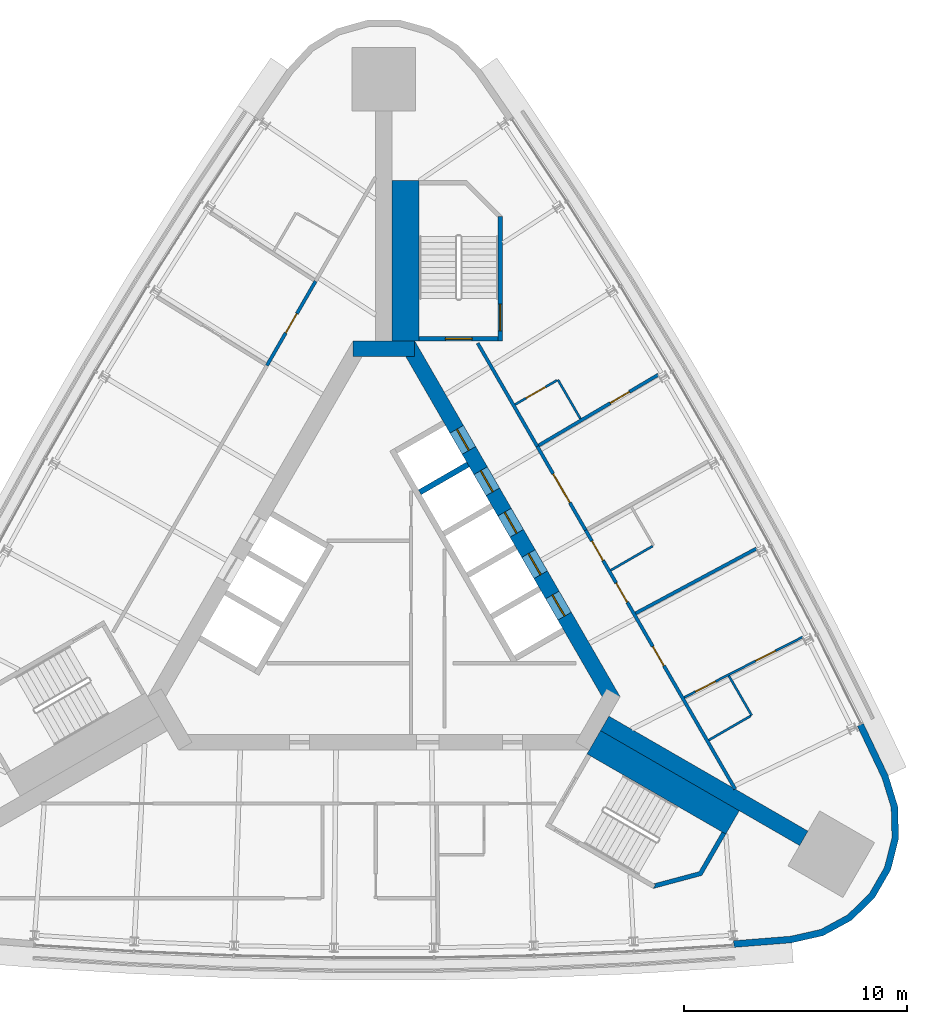
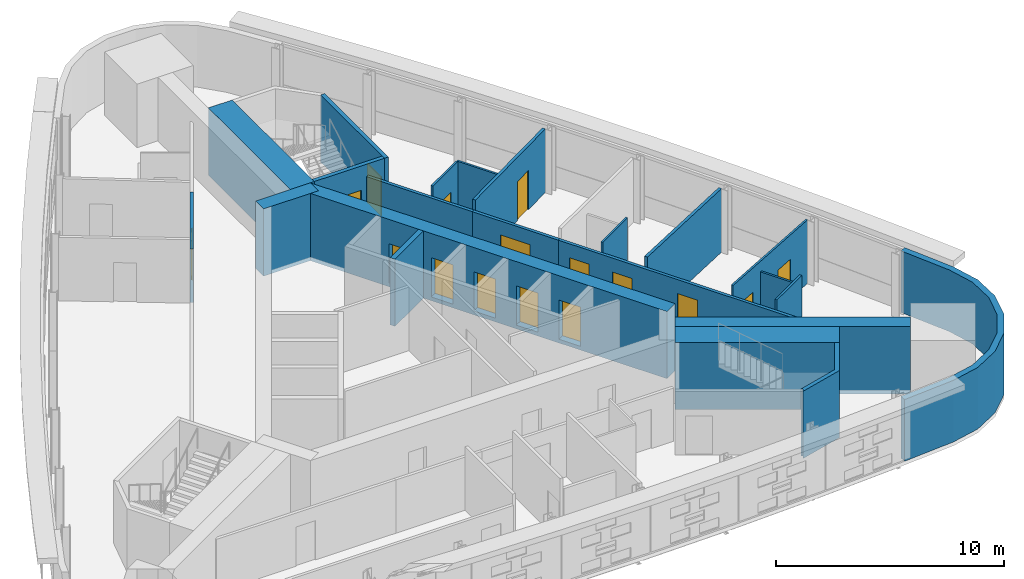
# One storey, part 9 of 12: 22 walls, 16 doors, 16 openings.
"""IFC4 building model written with IfcOpenShell, lengths in metres."""

from ifc_helpers import new_model, si_unit, direction, frame, frame_2d, origin, place, context, subcontext, project, spatial, polyline, rectangle, outline, extrude, material, layer, layer_set, type_object, element, fill, save


model = new_model("IFC4")

# Units and contexts
model_context = context("Model", 3, precision=1e-05, world=origin(), true_north=direction((0.0, 1.0)))
body_context = subcontext(model_context, "Body", "Model", "MODEL_VIEW")
ifc_project = project(units=[si_unit("LENGTHUNIT", "METRE"), si_unit("AREAUNIT", "SQUARE_METRE"), si_unit("VOLUMEUNIT", "CUBIC_METRE"), si_unit("PLANEANGLEUNIT", "RADIAN"), si_unit("MASSUNIT", "GRAM", prefix="KILO")], contexts=[model_context])

# Site, building, storey
site_placement = place(None, origin())
site = spatial("IfcSite", under=ifc_project, at=site_placement, CompositionType="ELEMENT")
building_placement = place(site_placement, origin())
building = spatial("IfcBuilding", under=site, at=building_placement, Name="Noor Cloister Tower", CompositionType="ELEMENT")
storey_placement = place(building_placement, frame((0.0, 0.0, 161.699951171875)))
storey = spatial("IfcBuildingStorey", under=building, at=storey_placement, Name="L41", CompositionType="ELEMENT", Elevation=161.699951171875)

# Wall
ifc_material_1 = material(Name="Concrete C70/85", Category="concrete")
ifc_layer_1 = layer(ifc_material_1, 0.75)
ifc_layer_set_1 = layer_set([ifc_layer_1], Name="Buttress wall 750 C70/85")
wall_type_1 = type_object("IfcWallType", Name="Buttress wall 750 C70/85", PredefinedType="SHEAR", material=ifc_layer_set_1)
wall_1_placement = place(storey_placement, frame((9.921630859375, -5.728271484375, -0.199951171875), z_axis=(0.0, 0.0, 1.0), x_axis=(0.866025410072, -0.499999989109, 0.0)))
element("IfcWall", 1, at=wall_1_placement, inside=storey, type_object=wall_type_1, Name="Buttress wall SE L41", PredefinedType="SHEAR", context=body_context, shape_type="SweptSolid", body=[
    extrude(rectangle(XDim=10.33056640625, YDim=0.75, at=frame_2d((5.165283203125, 0.0))), origin(), (0.0, 0.0, 1.0), 3.60009765625),
])

# Wall, openings, doors
ifc_material_2 = material(Name="Concrete C70/85", Category="concrete")
ifc_layer_2 = layer(ifc_material_2, 0.699951171875)
ifc_layer_set_2 = layer_set([ifc_layer_2], Name="Core wall 700 C70/85")
wall_type_2 = type_object("IfcWallType", Name="Core wall 700 C70/85", PredefinedType="SHEAR", material=ifc_layer_set_2)
wall_2_placement = place(storey_placement, frame((10.311279296875, -4.703125, -0.199951171875), z_axis=(0.0, 0.0, 1.0), x_axis=(-0.500001446645, 0.866024568562, 0.0)))
wall_2 = element("IfcWall", 2, at=wall_2_placement, inside=storey, type_object=wall_type_2, Name="Core wall L41 3", PredefinedType="SHEAR", context=body_context, shape_type="SweptSolid", body=[
    extrude(rectangle(XDim=18.45751953125, YDim=0.699951171875, at=frame_2d((9.228759765625, 0.0))), origin(), (0.0, 0.0, 1.0), 3.60009765625),
])
opening_1_placement = place(wall_2_placement, frame((4.378662109375, 0.0, 0.199951171875)))
opening_1 = element("IfcOpeningElement", 3, at=opening_1_placement, cuts=wall_2, Name="Opening L41-HR1", PredefinedType="OPENING", context=body_context, shape_type="SweptSolid", body=[
    extrude(rectangle(XDim=1.10009765625, YDim=2.10009765625, at=frame_2d((0.550048828125, 1.050048828125))), frame((0.0, 0.35986328125, 0.0), z_axis=(0.0, -1.0, 0.0), x_axis=(1.0, 0.0, 0.0)), (0.0, 0.0, 1.0), 0.719970703125),
])
opening_2_placement = place(wall_2_placement, frame((6.52880859375, 0.0, 0.199951171875)))
opening_2 = element("IfcOpeningElement", 4, at=opening_2_placement, cuts=wall_2, Name="Opening L41-HR2", PredefinedType="OPENING", context=body_context, shape_type="SweptSolid", body=[
    extrude(rectangle(XDim=1.10009765625, YDim=2.10009765625, at=frame_2d((0.550048828125, 1.050048828125))), frame((0.0, 0.35986328125, 0.0), z_axis=(0.0, -1.0, 0.0), x_axis=(1.0, 0.0, 0.0)), (0.0, 0.0, 1.0), 0.719970703125),
])
opening_3_placement = place(wall_2_placement, frame((8.6787109375, 0.0, 0.199951171875)))
opening_3 = element("IfcOpeningElement", 5, at=opening_3_placement, cuts=wall_2, Name="Opening L41-HR3", PredefinedType="OPENING", context=body_context, shape_type="SweptSolid", body=[
    extrude(rectangle(XDim=1.10009765625, YDim=2.10009765625, at=frame_2d((0.550048828125, 1.050048828125))), frame((0.0, 0.35986328125, 0.0), z_axis=(0.0, -1.0, 0.0), x_axis=(1.0, 0.0, 0.0)), (0.0, 0.0, 1.0), 0.719970703125),
])
opening_4_placement = place(wall_2_placement, frame((10.82861328125, 0.0, 0.199951171875)))
opening_4 = element("IfcOpeningElement", 6, at=opening_4_placement, cuts=wall_2, Name="Opening L41-HR4", PredefinedType="OPENING", context=body_context, shape_type="SweptSolid", body=[
    extrude(rectangle(XDim=1.10009765625, YDim=2.10009765625, at=frame_2d((0.550048828125, 1.050048828125))), frame((0.0, 0.35986328125, 0.0), z_axis=(0.0, -1.0, 0.0), x_axis=(1.0, 0.0, 0.0)), (0.0, 0.0, 1.0), 0.719970703125),
])
opening_5_placement = place(wall_2_placement, frame((12.978759765625, 0.0, 0.199951171875)))
opening_5 = element("IfcOpeningElement", 7, at=opening_5_placement, cuts=wall_2, Name="Opening L41-HR5", PredefinedType="OPENING", context=body_context, shape_type="SweptSolid", body=[
    extrude(rectangle(XDim=1.10009765625, YDim=2.10009765625, at=frame_2d((0.550048828125, 1.050048828125))), frame((0.0, 0.35986328125, 0.0), z_axis=(0.0, -1.0, 0.0), x_axis=(1.0, 0.0, 0.0)), (0.0, 0.0, 1.0), 0.719970703125),
])
ifc_material_3 = material(Name="Stainless steel", Category="steel")
door_type_1 = type_object("IfcDoorType", Name="Lift landing door 1100 x 2100", OperationType="DOUBLE_DOOR_SLIDING", PredefinedType="DOOR", material=ifc_material_3)
door_1_placement = place(opening_1_placement, origin())
door_1 = element("IfcDoor", 8, at=door_1_placement, inside=storey, type_object=door_type_1, Name="Landing door HR1 L41", OperationType="DOUBLE_DOOR_SLIDING", OverallHeight=2.10009765625, OverallWidth=1.10009765625, PredefinedType="DOOR", context=body_context, shape_type="SweptSolid", body=[
    extrude(rectangle(XDim=1.10009765625, YDim=2.10009765625, at=frame_2d((0.550048828125, 1.050048828125))), frame((0.0, 0.02490234375, 0.0), z_axis=(0.0, -1.0, 0.0), x_axis=(1.0, 0.0, 0.0)), (0.0, 0.0, 1.0), 0.050048828125),
])
fill(opening_1, door_1)
door_2_placement = place(opening_2_placement, origin())
door_2 = element("IfcDoor", 9, at=door_2_placement, inside=storey, type_object=door_type_1, Name="Landing door HR2 L41", OperationType="DOUBLE_DOOR_SLIDING", OverallHeight=2.10009765625, OverallWidth=1.10009765625, PredefinedType="DOOR", context=body_context, shape_type="SweptSolid", body=[
    extrude(rectangle(XDim=1.10009765625, YDim=2.10009765625, at=frame_2d((0.550048828125, 1.050048828125))), frame((0.0, 0.02490234375, 0.0), z_axis=(0.0, -1.0, 0.0), x_axis=(1.0, 0.0, 0.0)), (0.0, 0.0, 1.0), 0.050048828125),
])
fill(opening_2, door_2)
door_3_placement = place(opening_3_placement, origin())
door_3 = element("IfcDoor", 10, at=door_3_placement, inside=storey, type_object=door_type_1, Name="Landing door HR3 L41", OperationType="DOUBLE_DOOR_SLIDING", OverallHeight=2.10009765625, OverallWidth=1.10009765625, PredefinedType="DOOR", context=body_context, shape_type="SweptSolid", body=[
    extrude(rectangle(XDim=1.10009765625, YDim=2.10009765625, at=frame_2d((0.550048828125, 1.050048828125))), frame((0.0, 0.02490234375, 0.0), z_axis=(0.0, -1.0, 0.0), x_axis=(1.0, 0.0, 0.0)), (0.0, 0.0, 1.0), 0.050048828125),
])
fill(opening_3, door_3)
door_4_placement = place(opening_4_placement, origin())
door_4 = element("IfcDoor", 11, at=door_4_placement, inside=storey, type_object=door_type_1, Name="Landing door HR4 L41", OperationType="DOUBLE_DOOR_SLIDING", OverallHeight=2.10009765625, OverallWidth=1.10009765625, PredefinedType="DOOR", context=body_context, shape_type="SweptSolid", body=[
    extrude(rectangle(XDim=1.10009765625, YDim=2.10009765625, at=frame_2d((0.550048828125, 1.050048828125))), frame((0.0, 0.02490234375, 0.0), z_axis=(0.0, -1.0, 0.0), x_axis=(1.0, 0.0, 0.0)), (0.0, 0.0, 1.0), 0.050048828125),
])
fill(opening_4, door_4)
door_5_placement = place(opening_5_placement, origin())
door_5 = element("IfcDoor", 12, at=door_5_placement, inside=storey, type_object=door_type_1, Name="Landing door HR5 L41", OperationType="DOUBLE_DOOR_SLIDING", OverallHeight=2.10009765625, OverallWidth=1.10009765625, PredefinedType="DOOR", context=body_context, shape_type="SweptSolid", body=[
    extrude(rectangle(XDim=1.10009765625, YDim=2.10009765625, at=frame_2d((0.550048828125, 1.050048828125))), frame((0.0, 0.02490234375, 0.0), z_axis=(0.0, -1.0, 0.0), x_axis=(1.0, 0.0, 0.0)), (0.0, 0.0, 1.0), 0.050048828125),
])
fill(opening_5, door_5)

# Wall
wall_3_placement = place(storey_placement, frame((1.3857421875, 11.1064453125, -0.199951171875), z_axis=(0.0, 0.0, 1.0), x_axis=(-1.0, 0.0, 0.0)))
element("IfcWall", 13, at=wall_3_placement, inside=storey, type_object=wall_type_2, Name="Core wall L41 4", PredefinedType="SHEAR", context=body_context, shape_type="SweptSolid", body=[
    extrude(rectangle(XDim=2.771484375, YDim=0.699951171875, at=frame_2d((1.3857421875, 0.0))), origin(), (0.0, 0.0, 1.0), 3.60009765625),
])

# Wall, opening, door
ifc_material_4 = material(Name="Fire-rated gypsum board partition on steel studs, 150 mm", Category="steel")
ifc_layer_3 = layer(ifc_material_4, 0.14990234375)
ifc_layer_set_3 = layer_set([ifc_layer_3], Name="Fire lobby wall 150")
wall_type_3 = type_object("IfcWallType", Name="Fire lobby wall 150", PredefinedType="PARTITIONING", material=ifc_layer_set_3)
wall_4_placement = place(storey_placement, frame((-3.06884765625, 14.140869140625, 0.0), z_axis=(0.0, 0.0, 1.0), x_axis=(-0.500015937133, -0.866016202281, 0.0)))
wall_4 = element("IfcWall", 14, at=wall_4_placement, inside=storey, type_object=wall_type_3, Name="Wall L41-W28", PredefinedType="PARTITIONING", context=body_context, shape_type="SweptSolid", body=[
    extrude(rectangle(XDim=4.368408203125, YDim=0.14990234375, at=frame_2d((2.18408203125, 0.0))), origin(), (0.0, 0.0, 1.0), 2.84716796875),
])
opening_6_placement = place(wall_4_placement, frame((1.684326171875, 0.0, 0.0)))
opening_6 = element("IfcOpeningElement", 15, at=opening_6_placement, cuts=wall_4, Name="Opening L41-016", PredefinedType="OPENING", context=body_context, shape_type="SweptSolid", body=[
    extrude(rectangle(XDim=1.0, YDim=2.10009765625, at=frame_2d((0.5, 1.050048828125))), frame((0.0, 0.0849609375, 0.0), z_axis=(0.0, -1.0, 0.0), x_axis=(1.0, 0.0, 0.0)), (0.0, 0.0, 1.0), 0.169921875),
])
ifc_material_5 = material(Name="Timber door leaf with steel frame", Category="steel")
door_type_2 = type_object("IfcDoorType", Name="Fire lobby door 1000", OperationType="NOTDEFINED", PredefinedType="DOOR", material=ifc_material_5)
door_6_placement = place(opening_6_placement, origin())
door_6 = element("IfcDoor", 16, at=door_6_placement, inside=storey, type_object=door_type_2, Name="Door L41-016", OperationType="SINGLE_SWING_RIGHT", OverallHeight=2.10009765625, OverallWidth=1.0, PredefinedType="DOOR", context=body_context, shape_type="SweptSolid", body=[
    extrude(rectangle(XDim=1.0, YDim=2.10009765625, at=frame_2d((0.5, 1.050048828125))), frame((0.0, 0.02490234375, 0.0), z_axis=(0.0, -1.0, 0.0), x_axis=(1.0, 0.0, 0.0)), (0.0, 0.0, 1.0), 0.050048828125),
])
fill(opening_6, door_6)

# Wall, openings, doors
ifc_material_6 = material(Name="Gypsum board partition on steel studs, 150 mm", Category="steel")
ifc_layer_4 = layer(ifc_material_6, 0.14990234375)
ifc_layer_set_4 = layer_set([ifc_layer_4], Name="Flat wall 150")
wall_type_4 = type_object("IfcWallType", Name="Flat wall 150", PredefinedType="PARTITIONING", material=ifc_layer_set_4)
wall_5_placement = place(storey_placement, frame((15.781982421875, -8.6787109375, 0.0), z_axis=(0.0, 0.0, 1.0), x_axis=(-0.499998343211, 0.86602636033, 0.0)))
wall_5 = element("IfcWall", 17, at=wall_5_placement, inside=storey, type_object=wall_type_4, Name="Wall L41-W01", PredefinedType="PARTITIONING", context=body_context, shape_type="SweptSolid", body=[
    extrude(rectangle(XDim=13.4306640625, YDim=0.14990234375, at=frame_2d((6.71533203125, 0.0))), origin(), (0.0, 0.0, 1.0), 2.84716796875),
])
opening_7_placement = place(wall_5_placement, frame((6.39599609375, 0.0, 0.0)))
opening_7 = element("IfcOpeningElement", 18, at=opening_7_placement, cuts=wall_5, Name="Opening L41-004", PredefinedType="OPENING", context=body_context, shape_type="SweptSolid", body=[
    extrude(rectangle(XDim=1.0, YDim=2.10009765625, at=frame_2d((0.5, 1.050048828125))), frame((0.0, 0.0849609375, 0.0), z_axis=(0.0, -1.0, 0.0), x_axis=(1.0, 0.0, 0.0)), (0.0, 0.0, 1.0), 0.169921875),
])
opening_8_placement = place(wall_5_placement, frame((11.86865234375, 0.0, 0.0)))
opening_8 = element("IfcOpeningElement", 19, at=opening_8_placement, cuts=wall_5, Name="Opening L41-005", PredefinedType="OPENING", context=body_context, shape_type="SweptSolid", body=[
    extrude(rectangle(XDim=1.0, YDim=2.10009765625, at=frame_2d((0.5, 1.050048828125))), frame((0.0, 0.0849609375, 0.0), z_axis=(0.0, -1.0, 0.0), x_axis=(1.0, 0.0, 0.0)), (0.0, 0.0, 1.0), 0.169921875),
])
opening_9_placement = place(wall_5_placement, frame((9.69140625, 0.0, 0.0)))
opening_9 = element("IfcOpeningElement", 20, at=opening_9_placement, cuts=wall_5, Name="Opening L41-006", PredefinedType="OPENING", context=body_context, shape_type="SweptSolid", body=[
    extrude(rectangle(XDim=1.0, YDim=2.10009765625, at=frame_2d((0.5, 1.050048828125))), frame((0.0, 0.0849609375, 0.0), z_axis=(0.0, -1.0, 0.0), x_axis=(1.0, 0.0, 0.0)), (0.0, 0.0, 1.0), 0.169921875),
])
ifc_material_7 = material(Name="Timber door leaf with steel frame", Category="steel")
door_type_3 = type_object("IfcDoorType", Name="Accessible WC door 1000", OperationType="NOTDEFINED", PredefinedType="DOOR", material=ifc_material_7)
door_7_placement = place(opening_8_placement, origin())
door_7 = element("IfcDoor", 21, at=door_7_placement, inside=storey, type_object=door_type_3, Name="Door L41-005", OperationType="SINGLE_SWING_LEFT", OverallHeight=2.10009765625, OverallWidth=1.0, PredefinedType="DOOR", context=body_context, shape_type="SweptSolid", body=[
    extrude(rectangle(XDim=1.0, YDim=2.10009765625, at=frame_2d((0.5, 1.050048828125))), frame((0.0, 0.02490234375, 0.0), z_axis=(0.0, -1.0, 0.0), x_axis=(1.0, 0.0, 0.0)), (0.0, 0.0, 1.0), 0.050048828125),
])
fill(opening_8, door_7)
ifc_material_8 = material(Name="Timber door leaf with steel frame", Category="steel")
door_type_4 = type_object("IfcDoorType", Name="Flat entrance door 1000", OperationType="NOTDEFINED", PredefinedType="DOOR", material=ifc_material_8)
door_8_placement = place(opening_7_placement, origin())
door_8 = element("IfcDoor", 22, at=door_8_placement, inside=storey, type_object=door_type_4, Name="Door L41-004", OperationType="SINGLE_SWING_RIGHT", OverallHeight=2.10009765625, OverallWidth=1.0, PredefinedType="DOOR", context=body_context, shape_type="SweptSolid", body=[
    extrude(rectangle(XDim=1.0, YDim=2.10009765625, at=frame_2d((0.5, 1.050048828125))), frame((0.0, 0.02490234375, 0.0), z_axis=(0.0, -1.0, 0.0), x_axis=(1.0, 0.0, 0.0)), (0.0, 0.0, 1.0), 0.050048828125),
])
fill(opening_7, door_8)
ifc_material_9 = material(Name="Timber door leaf with steel frame", Category="steel")
door_type_5 = type_object("IfcDoorType", Name="Interior door 1000 FD60", OperationType="NOTDEFINED", PredefinedType="DOOR", material=ifc_material_9)
door_9_placement = place(opening_9_placement, origin())
door_9 = element("IfcDoor", 23, at=door_9_placement, inside=storey, type_object=door_type_5, Name="Door L41-006", OperationType="SINGLE_SWING_RIGHT", OverallHeight=2.10009765625, OverallWidth=1.0, PredefinedType="DOOR", context=body_context, shape_type="SweptSolid", body=[
    extrude(rectangle(XDim=1.0, YDim=2.10009765625, at=frame_2d((0.5, 1.050048828125))), frame((0.0, 0.02490234375, 0.0), z_axis=(0.0, -1.0, 0.0), x_axis=(1.0, 0.0, 0.0)), (0.0, 0.0, 1.0), 0.050048828125),
])
fill(opening_9, door_9)

# Wall
wall_6_placement = place(storey_placement, frame((6.890380859375, 6.72216796875, 0.0), z_axis=(0.0, 0.0, 1.0), x_axis=(-0.500025224267, 0.866010840057, 0.0)))
element("IfcWall", 24, at=wall_6_placement, inside=storey, type_object=wall_type_4, Name="Wall L41-W02", PredefinedType="PARTITIONING", context=body_context, shape_type="SweptSolid", body=[
    extrude(rectangle(XDim=5.351318359375, YDim=0.14990234375, at=frame_2d((2.67578125, 0.0))), origin(), (0.0, 0.0, 1.0), 2.84716796875),
])

# Wall, opening, door
wall_7_placement = place(storey_placement, frame((12.3359375, 9.942626953125, 0.0), z_axis=(0.0, 0.0, 1.0), x_axis=(-0.860742216303, -0.509041095663, 0.0)))
wall_7 = element("IfcWall", 25, at=wall_7_placement, inside=storey, type_object=wall_type_4, Name="Wall L41-W04", PredefinedType="PARTITIONING", context=body_context, shape_type="SweptSolid", body=[
    extrude(rectangle(XDim=6.251708984375, YDim=0.14990234375, at=frame_2d((3.1259765625, 0.0))), origin(), (0.0, 0.0, 1.0), 3.400146484375),
])
opening_10_placement = place(wall_7_placement, frame((1.51318359375, 0.0, 0.0)))
opening_10 = element("IfcOpeningElement", 26, at=opening_10_placement, cuts=wall_7, Name="Opening L41-008", PredefinedType="OPENING", context=body_context, shape_type="SweptSolid", body=[
    extrude(rectangle(XDim=1.0, YDim=2.10009765625, at=frame_2d((0.5, 1.050048828125))), frame((0.0, 0.0849609375, 0.0), z_axis=(0.0, -1.0, 0.0), x_axis=(1.0, 0.0, 0.0)), (0.0, 0.0, 1.0), 0.169921875),
])
door_10_placement = place(opening_10_placement, origin())
door_10 = element("IfcDoor", 27, at=door_10_placement, inside=storey, type_object=door_type_4, Name="Door L41-008", OperationType="SINGLE_SWING_RIGHT", OverallHeight=2.10009765625, OverallWidth=1.0, PredefinedType="DOOR", context=body_context, shape_type="SweptSolid", body=[
    extrude(rectangle(XDim=1.0, YDim=2.10009765625, at=frame_2d((0.5, 1.050048828125))), frame((0.0, 0.02490234375, 0.0), z_axis=(0.0, -1.0, 0.0), x_axis=(1.0, 0.0, 0.0)), (0.0, 0.0, 1.0), 0.050048828125),
])
fill(opening_10, door_10)

wall_8_placement = place(storey_placement, frame((9.066650390625, 2.95263671875, 0.0), z_axis=(0.0, 0.0, 1.0), x_axis=(-0.499987877897, 0.866032402371, 0.0)))
wall_8 = element("IfcWall", 28, at=wall_8_placement, inside=storey, type_object=wall_type_4, Name="Wall L41-W05", PredefinedType="PARTITIONING", context=body_context, shape_type="SweptSolid", body=[
    extrude(rectangle(XDim=4.3525390625, YDim=0.14990234375, at=frame_2d((2.17626953125, 0.0))), origin(), (0.0, 0.0, 1.0), 2.84716796875),
])
opening_11_placement = place(wall_8_placement, frame((1.42626953125, 0.0, 0.0)))
opening_11 = element("IfcOpeningElement", 29, at=opening_11_placement, cuts=wall_8, Name="Opening L41-001", PredefinedType="OPENING", context=body_context, shape_type="SweptSolid", body=[
    extrude(rectangle(XDim=1.5, YDim=2.10009765625, at=frame_2d((0.75, 1.050048828125))), frame((0.0, 0.0849609375, 0.0), z_axis=(0.0, -1.0, 0.0), x_axis=(1.0, 0.0, 0.0)), (0.0, 0.0, 1.0), 0.169921875),
])
ifc_material_10 = material(Name="Timber door leaf with steel frame", Category="steel")
door_type_6 = type_object("IfcDoorType", Name="Double door 1500 FD60", OperationType="NOTDEFINED", PredefinedType="DOOR", material=ifc_material_10)
door_11_placement = place(opening_11_placement, origin())
door_11 = element("IfcDoor", 30, at=door_11_placement, inside=storey, type_object=door_type_6, Name="Door L41-001", OperationType="DOUBLE_DOOR_SINGLE_SWING", OverallHeight=2.10009765625, OverallWidth=1.5, PredefinedType="DOOR", context=body_context, shape_type="SweptSolid", body=[
    extrude(rectangle(XDim=1.5, YDim=2.10009765625, at=frame_2d((0.75, 1.050048828125))), frame((0.0, 0.02490234375, 0.0), z_axis=(0.0, -1.0, 0.0), x_axis=(1.0, 0.0, 0.0)), (0.0, 0.0, 1.0), 0.050048828125),
])
fill(opening_11, door_11)

# Walls
wall_9_placement = place(storey_placement, frame((16.74658203125, 2.132080078125, 0.0), z_axis=(0.0, 0.0, 1.0), x_axis=(-0.881303399969, -0.472550862028, 0.0)))
element("IfcWall", 31, at=wall_9_placement, inside=storey, type_object=wall_type_4, Name="Wall L41-W09", PredefinedType="PARTITIONING", context=body_context, shape_type="SweptSolid", body=[
    extrude(rectangle(XDim=6.168701171875, YDim=0.14990234375, at=frame_2d((3.08447265625, 0.0))), origin(), (0.0, 0.0, 1.0), 3.400146484375),
])
ifc_material_11 = material(Name="Limestone", Category="masonry")
ifc_layer_5 = layer(ifc_material_11, 0.300048828125)
ifc_layer_set_5 = layer_set([ifc_layer_5], Name="Limestone cladding 300")
wall_type_5 = type_object("IfcWallType", Name="Limestone cladding 300", PredefinedType="NOTDEFINED", material=ifc_layer_set_5)
wall_10_placement = place(storey_placement, origin())
element("IfcWall", 32, at=wall_10_placement, inside=storey, type_object=wall_type_5, Name="Limestone pier cladding L41 2.1", PredefinedType="NOTDEFINED", context=body_context, shape_type="SweptSolid", body=[
    extrude(outline(polyline([(15.73583984375, -15.79345703125), (18.326904296875, -15.58740234375), (19.739013671875, -15.267333984375), (21.011474609375, -14.576171875), (22.048583984375, -13.565673828125), (22.772705078125, -12.311767578125), (23.129150390625, -10.908447265625), (23.091552734375, -9.4609375), (22.66259765625, -8.077880859375), (21.54541015625, -5.73095703125), (21.274658203125, -5.85986328125), (22.38232421875, -8.187255859375), (22.792724609375, -9.510009765625), (22.828125, -10.874755859375), (22.491943359375, -12.19775390625), (21.8095703125, -13.3798828125), (20.831787109375, -14.33251953125), (19.63232421875, -14.984130859375), (18.281494140625, -15.2900390625), (15.712158203125, -15.494384765625), (15.73583984375, -15.79345703125)])), origin(), (0.0, 0.0, 1.0), 3.300048828125),
])

# Wall, openings, doors
ifc_material_12 = material(Name="Gypsum board partition on steel studs, 100 mm", Category="steel")
ifc_layer_6 = layer(ifc_material_12, 0.10009765625)
ifc_layer_set_6 = layer_set([ifc_layer_6], Name="Partition 100")
wall_type_6 = type_object("IfcWallType", Name="Partition 100", PredefinedType="PARTITIONING", material=ifc_layer_set_6)
wall_11_placement = place(storey_placement, frame((18.828369140625, -1.8408203125, 0.0), z_axis=(0.0, 0.0, 1.0), x_axis=(-0.891018968873, -0.453966074842, 0.0)))
wall_11 = element("IfcWall", 33, at=wall_11_placement, inside=storey, type_object=wall_type_6, Name="Wall L41-W06", PredefinedType="PARTITIONING", context=body_context, shape_type="SweptSolid", body=[
    extrude(rectangle(XDim=5.990478515625, YDim=0.10009765625, at=frame_2d((2.9951171875, 0.0))), origin(), (0.0, 0.0, 1.0), 3.400146484375),
])
opening_12_placement = place(wall_11_placement, frame((1.381103515625, 0.0, 0.0)))
opening_12 = element("IfcOpeningElement", 34, at=opening_12_placement, cuts=wall_11, Name="Opening L41-002", PredefinedType="OPENING", context=body_context, shape_type="SweptSolid", body=[
    extrude(rectangle(XDim=1.0, YDim=2.10009765625, at=frame_2d((0.5, 1.050048828125))), frame((0.0, 0.06005859375, 0.0), z_axis=(0.0, -1.0, 0.0), x_axis=(1.0, 0.0, 0.0)), (0.0, 0.0, 1.0), 0.1201171875),
])
opening_13_placement = place(wall_11_placement, frame((4.413818359375, 0.0, 0.0)))
opening_13 = element("IfcOpeningElement", 35, at=opening_13_placement, cuts=wall_11, Name="Opening L41-003", PredefinedType="OPENING", context=body_context, shape_type="SweptSolid", body=[
    extrude(rectangle(XDim=1.0, YDim=2.10009765625, at=frame_2d((0.5, 1.050048828125))), frame((0.0, 0.06005859375, 0.0), z_axis=(0.0, -1.0, 0.0), x_axis=(1.0, 0.0, 0.0)), (0.0, 0.0, 1.0), 0.1201171875),
])
ifc_material_13 = material(Name="Timber door leaf with steel frame", Category="steel")
door_type_7 = type_object("IfcDoorType", Name="Interior door 1000", OperationType="NOTDEFINED", PredefinedType="DOOR", material=ifc_material_13)
door_12_placement = place(opening_12_placement, origin())
door_12 = element("IfcDoor", 36, at=door_12_placement, inside=storey, type_object=door_type_7, Name="Door L41-002", OperationType="SINGLE_SWING_RIGHT", OverallHeight=2.10009765625, OverallWidth=1.0, PredefinedType="DOOR", context=body_context, shape_type="SweptSolid", body=[
    extrude(rectangle(XDim=1.0, YDim=2.10009765625, at=frame_2d((0.5, 1.050048828125))), frame((0.0, 0.02490234375, 0.0), z_axis=(0.0, -1.0, 0.0), x_axis=(1.0, 0.0, 0.0)), (0.0, 0.0, 1.0), 0.050048828125),
])
fill(opening_12, door_12)
door_13_placement = place(opening_13_placement, origin())
door_13 = element("IfcDoor", 37, at=door_13_placement, inside=storey, type_object=door_type_7, Name="Door L41-003", OperationType="SINGLE_SWING_LEFT", OverallHeight=2.10009765625, OverallWidth=1.0, PredefinedType="DOOR", context=body_context, shape_type="SweptSolid", body=[
    extrude(rectangle(XDim=1.0, YDim=2.10009765625, at=frame_2d((0.5, 1.050048828125))), frame((0.0, 0.02490234375, 0.0), z_axis=(0.0, -1.0, 0.0), x_axis=(1.0, 0.0, 0.0)), (0.0, 0.0, 1.0), 0.050048828125),
])
fill(opening_13, door_13)

# Walls
wall_12_placement = place(storey_placement, frame((15.5009765625, -3.59228515625, 0.0), z_axis=(0.0, 0.0, 1.0), x_axis=(0.500097020274, -0.865969381856, 0.0)))
element("IfcWall", 38, at=wall_12_placement, inside=storey, type_object=wall_type_6, Name="Wall L41-W07", PredefinedType="PARTITIONING", context=body_context, shape_type="SweptSolid", body=[
    extrude(rectangle(XDim=2.0498046875, YDim=0.10009765625, at=frame_2d((1.02490234375, 0.0))), origin(), (0.0, 0.0, 1.0), 2.84716796875),
])
for number, where, z_axis, x_axis, name in (
    (39, (16.482666015625, -5.392578125, 0.0), (0.0, 0.0, 1.0), (-0.866037911478, -0.499978335414, 0.0), "Wall L41-W08"),
    (40, (12.0771484375, 2.238037109375, 0.0), (0.0, 0.0, 1.0), (-0.866037911478, -0.499978335414, 0.0), "Wall L41-W11"),
):
    element("IfcWall", number, at=place(storey_placement, frame(where, z_axis=z_axis, x_axis=x_axis)), inside=storey, type_object=wall_type_6, Name=name, PredefinedType="PARTITIONING", context=body_context, shape_type="SweptSolid", body=[
        extrude(rectangle(XDim=2.1748046875, YDim=0.10009765625, at=frame_2d((1.08740234375, 0.0))), origin(), (0.0, 0.0, 1.0), 3.400146484375),
    ])
wall_13_placement = place(storey_placement, frame((8.83251953125, 7.957763671875, 0.0), z_axis=(0.0, 0.0, 1.0), x_axis=(-0.499938124251, 0.866061124818, 0.0)))
element("IfcWall", 41, at=wall_13_placement, inside=storey, type_object=wall_type_6, Name="Wall L41-W12", PredefinedType="PARTITIONING", context=body_context, shape_type="SweptSolid", body=[
    extrude(rectangle(XDim=2.025146484375, YDim=0.10009765625, at=frame_2d((1.0126953125, 0.0))), origin(), (0.0, 0.0, 1.0), 3.400146484375),
])

# Wall, opening, door
wall_14_placement = place(storey_placement, frame((7.77685546875, 9.6865234375, 0.0), z_axis=(0.0, 0.0, 1.0), x_axis=(-0.866037911478, -0.499978335414, 0.0)))
wall_14 = element("IfcWall", 42, at=wall_14_placement, inside=storey, type_object=wall_type_6, Name="Wall L41-W13", PredefinedType="PARTITIONING", context=body_context, shape_type="SweptSolid", body=[
    extrude(rectangle(XDim=2.1748046875, YDim=0.10009765625, at=frame_2d((1.08740234375, 0.0))), origin(), (0.0, 0.0, 1.0), 3.400146484375),
])
opening_14_placement = place(wall_14_placement, frame((0.60009765625, 0.0, 0.0)))
opening_14 = element("IfcOpeningElement", 43, at=opening_14_placement, cuts=wall_14, Name="Opening L41-007", PredefinedType="OPENING", context=body_context, shape_type="SweptSolid", body=[
    extrude(rectangle(XDim=1.0, YDim=2.10009765625, at=frame_2d((0.5, 1.050048828125))), frame((0.0, 0.06005859375, 0.0), z_axis=(0.0, -1.0, 0.0), x_axis=(1.0, 0.0, 0.0)), (0.0, 0.0, 1.0), 0.1201171875),
])
door_14_placement = place(opening_14_placement, origin())
door_14 = element("IfcDoor", 44, at=door_14_placement, inside=storey, type_object=door_type_7, Name="Door L41-007", OperationType="SINGLE_SWING_LEFT", OverallHeight=2.10009765625, OverallWidth=1.0, PredefinedType="DOOR", context=body_context, shape_type="SweptSolid", body=[
    extrude(rectangle(XDim=1.0, YDim=2.10009765625, at=frame_2d((0.5, 1.050048828125))), frame((0.0, 0.02490234375, 0.0), z_axis=(0.0, -1.0, 0.0), x_axis=(1.0, 0.0, 0.0)), (0.0, 0.0, 1.0), 0.050048828125),
])
fill(opening_14, door_14)

# Walls
ifc_material_14 = material(Name="Concrete C70/85", Category="concrete")
ifc_layer_7 = layer(ifc_material_14, 0.25)
ifc_layer_set_7 = layer_set([ifc_layer_7], Name="Shaft wall 250 C70/85")
wall_type_7 = type_object("IfcWallType", Name="Shaft wall 250 C70/85", PredefinedType="PARTITIONING", material=ifc_layer_set_7)
wall_15_placement = place(storey_placement, frame((3.78125, 5.906982421875, -0.199951171875), z_axis=(0.0, 0.0, 1.0), x_axis=(-0.866022959057, -0.500004234368, 0.0)))
element("IfcWall", 45, at=wall_15_placement, inside=storey, type_object=wall_type_7, Name="Lift shaft wall L41 NE 5", PredefinedType="PARTITIONING", context=body_context, shape_type="SweptSolid", body=[
    extrude(rectangle(XDim=2.5, YDim=0.25, at=frame_2d((1.25, 0.0))), origin(), (0.0, 0.0, 1.0), 3.60009765625),
])
ifc_material_15 = material(Name="Concrete C70/85", Category="concrete")
ifc_layer_8 = layer(ifc_material_15, 1.2109375)
ifc_layer_set_8 = layer_set([ifc_layer_8], Name="Stair enclosure wall 1211 C70/85")
wall_type_8 = type_object("IfcWallType", Name="Stair enclosure wall 1211 C70/85", PredefinedType="SHEAR", material=ifc_layer_set_8)
wall_16_placement = place(storey_placement, frame((0.980224609375, 11.456298828125, -0.199951171875), z_axis=(0.0, 0.0, 1.0), x_axis=(0.0, 1.0, 0.0)))
element("IfcWall", 46, at=wall_16_placement, inside=storey, type_object=wall_type_8, Name="Stair enclosure wall ST1 L41 riser side", PredefinedType="SHEAR", context=body_context, shape_type="SweptSolid", body=[
    extrude(rectangle(XDim=7.2001953125, YDim=1.210693359375, at=frame_2d((3.60009765625, 0.0))), origin(), (0.0, 0.0, 1.0), 3.60009765625),
])
wall_17_placement = place(storey_placement, frame((9.431396484375, -6.5771484375, -0.199951171875), z_axis=(0.0, 0.0, 1.0), x_axis=(0.866018442252, -0.500012057535, 0.0)))
element("IfcWall", 47, at=wall_17_placement, inside=storey, type_object=wall_type_8, Name="Stair enclosure wall ST3 L41 riser side", PredefinedType="SHEAR", context=body_context, shape_type="SweptSolid", body=[
    extrude(rectangle(XDim=7.199951171875, YDim=1.210693359375, at=frame_2d((3.60009765625, 0.0))), origin(), (0.0, 0.0, 1.0), 3.60009765625),
])

# Wall, opening, door
ifc_material_16 = material(Name="Concrete C70/85", Category="concrete")
ifc_layer_9 = layer(ifc_material_16, 0.199951171875)
ifc_layer_set_9 = layer_set([ifc_layer_9], Name="Stair enclosure wall 200 C70/85")
wall_type_9 = type_object("IfcWallType", Name="Stair enclosure wall 200 C70/85", PredefinedType="SHEAR", material=ifc_layer_set_9)
wall_18_placement = place(storey_placement, frame((5.135498046875, 11.556396484375, -0.199951171875), z_axis=(0.0, 0.0, 1.0), x_axis=(-1.0, 0.0, 0.0)))
wall_18 = element("IfcWall", 48, at=wall_18_placement, inside=storey, type_object=wall_type_9, Name="Stair enclosure wall ST1 L41 near end", PredefinedType="SHEAR", context=body_context, shape_type="SweptSolid", body=[
    extrude(rectangle(XDim=3.5498046875, YDim=0.199951171875, at=frame_2d((1.77490234375, 0.0))), origin(), (0.0, 0.0, 1.0), 3.60009765625),
])
opening_15_placement = place(wall_18_placement, frame((1.175048828125, 0.0, 0.199951171875)))
opening_15 = element("IfcOpeningElement", 49, at=opening_15_placement, cuts=wall_18, Name="Opening L41-ST1L", PredefinedType="OPENING", context=body_context, shape_type="SweptSolid", body=[
    extrude(rectangle(XDim=1.199951171875, YDim=2.10009765625, at=frame_2d((0.60009765625, 1.050048828125))), frame((0.0, 0.10986328125, 0.0), z_axis=(0.0, -1.0, 0.0), x_axis=(1.0, 0.0, 0.0)), (0.0, 0.0, 1.0), 0.219970703125),
])
ifc_material_17 = material(Name="Steel", Category="steel")
door_type_8 = type_object("IfcDoorType", Name="Stair door 1200 x 2100 FD120", OperationType="SINGLE_SWING_LEFT", PredefinedType="DOOR", material=ifc_material_17)
door_15_placement = place(opening_15_placement, origin())
door_15 = element("IfcDoor", 50, at=door_15_placement, inside=storey, type_object=door_type_8, Name="Stair door ST1 L41", OperationType="SINGLE_SWING_RIGHT", OverallHeight=2.10009765625, OverallWidth=1.199951171875, PredefinedType="DOOR", context=body_context, shape_type="SweptSolid", body=[
    extrude(rectangle(XDim=1.199951171875, YDim=2.10009765625, at=frame_2d((0.60009765625, 1.050048828125))), frame((0.0, 0.02490234375, 0.0), z_axis=(0.0, -1.0, 0.0), x_axis=(1.0, 0.0, 0.0)), (0.0, 0.0, 1.0), 0.050048828125),
])
fill(opening_15, door_15)

wall_19_placement = place(storey_placement, frame((5.235595703125, 11.456298828125, -0.199951171875), z_axis=(0.0, 0.0, 1.0), x_axis=(0.0, 1.0, 0.0)))
wall_19 = element("IfcWall", 51, at=wall_19_placement, inside=storey, type_object=wall_type_9, Name="Stair enclosure wall ST1 L41 outer side", PredefinedType="SHEAR", context=body_context, shape_type="SweptSolid", body=[
    extrude(rectangle(XDim=5.60009765625, YDim=0.199951171875, at=frame_2d((2.800048828125, 0.0))), origin(), (0.0, 0.0, 1.0), 3.60009765625),
])
opening_16_placement = place(wall_19_placement, frame((0.449951171875, 0.0, 0.199951171875)))
opening_16 = element("IfcOpeningElement", 52, at=opening_16_placement, cuts=wall_19, Name="Opening L41-ST1C", PredefinedType="OPENING", context=body_context, shape_type="SweptSolid", body=[
    extrude(rectangle(XDim=1.199951171875, YDim=2.10009765625, at=frame_2d((0.60009765625, 1.050048828125))), frame((0.0, 0.10986328125, 0.0), z_axis=(0.0, -1.0, 0.0), x_axis=(1.0, 0.0, 0.0)), (0.0, 0.0, 1.0), 0.219970703125),
])
door_16_placement = place(opening_16_placement, origin())
door_16 = element("IfcDoor", 53, at=door_16_placement, inside=storey, type_object=door_type_8, Name="Stair door ST1 L41", OperationType="SINGLE_SWING_LEFT", OverallHeight=2.10009765625, OverallWidth=1.199951171875, PredefinedType="DOOR", context=body_context, shape_type="SweptSolid", body=[
    extrude(rectangle(XDim=1.199951171875, YDim=2.10009765625, at=frame_2d((0.60009765625, 1.050048828125))), frame((0.0, 0.02490234375, 0.0), z_axis=(0.0, -1.0, 0.0), x_axis=(1.0, 0.0, 0.0)), (0.0, 0.0, 1.0), 0.050048828125),
])
fill(opening_16, door_16)

# Wall
ifc_material_18 = material(Name="Concrete C70/85", Category="concrete")
wall_type_10 = type_object("IfcWallType", Name="Stair far end wall C70/85", PredefinedType="SHEAR", material=ifc_material_18)
wall_20_placement = place(storey_placement, frame((0.0, 0.0, -0.199951171875)))
element("IfcWall", 54, at=wall_20_placement, inside=storey, type_object=wall_type_10, Name="Stair enclosure wall ST3 L41 far end", PredefinedType="SHEAR", context=body_context, shape_type="SweptSolid", body=[
    extrude(outline(polyline([(12.103515625, -13.14892578125), (14.2890625, -12.5634765625), (15.364013671875, -10.701416015625), (15.19091796875, -10.601318359375), (14.1572265625, -12.3916015625), (12.131591796875, -12.934326171875), (12.20361328125, -12.975830078125), (12.20361328125, -12.975830078125), (12.20361328125, -12.975830078125), (12.20361328125, -12.975830078125), (12.20361328125, -12.975830078125), (12.20361328125, -12.975830078125), (12.20361328125, -12.975830078125), (12.20361328125, -12.975830078125), (12.20361328125, -12.975830078125), (12.20361328125, -12.975830078125), (12.20361328125, -12.975830078125), (12.20361328125, -12.975830078125), (12.20361328125, -12.975830078125), (12.20361328125, -12.975830078125), (12.20361328125, -12.975830078125), (12.20361328125, -12.975830078125), (12.20361328125, -12.975830078125), (12.103515625, -13.14892578125)])), origin(), (0.0, 0.0, 1.0), 3.60009765625),
])

save(model, "model.ifc")
